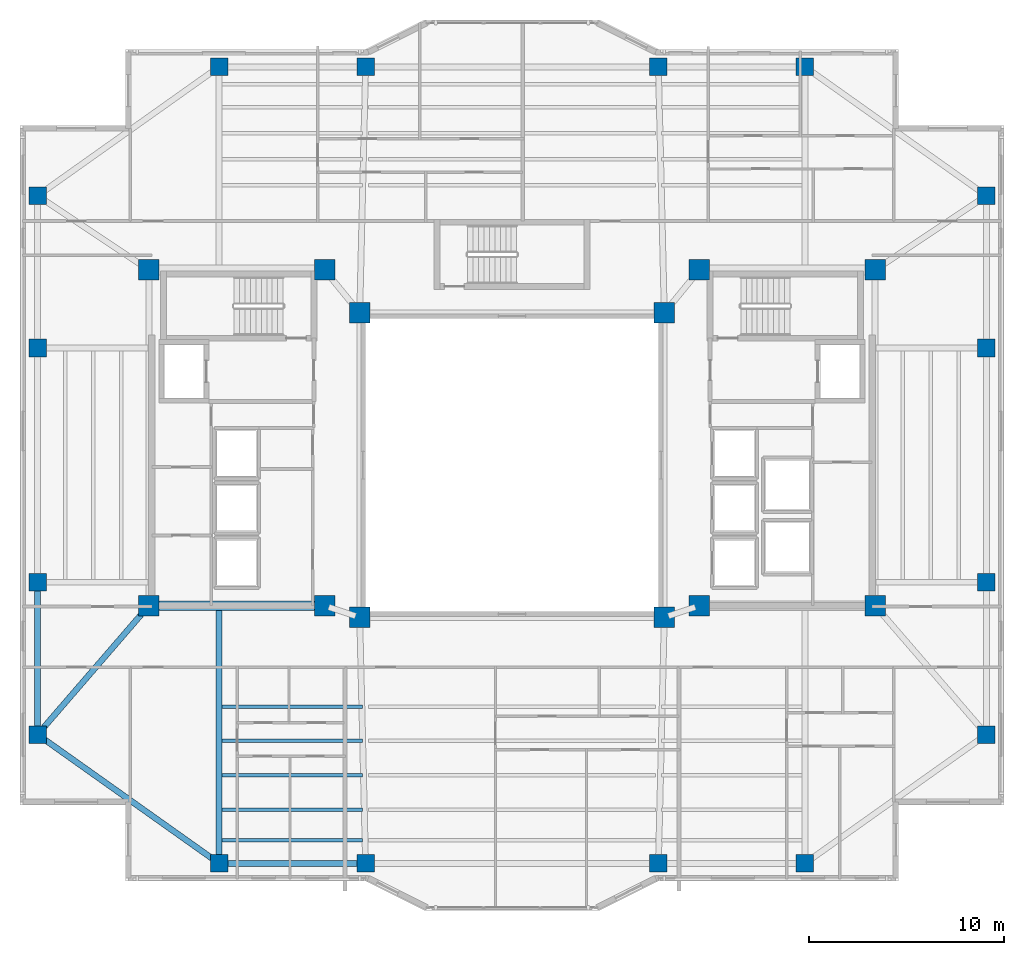
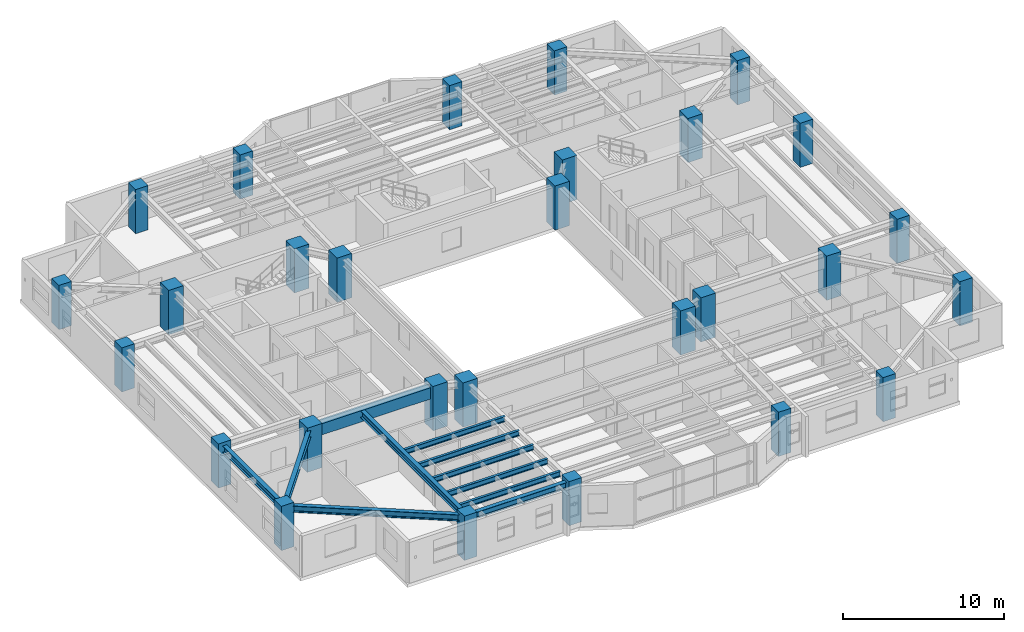
# One storey, part 1 of 15: 28 columns, 11 beams.
"""IFC4 building model written with IfcOpenShell, lengths in metres."""

from ifc_helpers import new_model, si_unit, direction, frame, origin, origin_2d, place, context, subcontext, project, spatial, rectangle, i_section, extrude, material, material_profile, profile_set, type_object, element, save


model = new_model("IFC4")

# Units and contexts
model_context = context("Model", 3, precision=1e-05, world=origin(), true_north=direction((0.0, 1.0)))
body_context = subcontext(model_context, "Body", "Model", "MODEL_VIEW")
ifc_project = project(units=[si_unit("LENGTHUNIT", "METRE"), si_unit("AREAUNIT", "SQUARE_METRE"), si_unit("VOLUMEUNIT", "CUBIC_METRE"), si_unit("PLANEANGLEUNIT", "RADIAN"), si_unit("MASSUNIT", "GRAM", prefix="KILO")], contexts=[model_context])

# Site, building, storey
site_placement = place(None, origin())
site = spatial("IfcSite", under=ifc_project, at=site_placement, CompositionType="ELEMENT")
building_placement = place(site_placement, origin())
building = spatial("IfcBuilding", under=site, at=building_placement, Name="Tarnavaz Court Tower", CompositionType="ELEMENT")
storey_placement = place(building_placement, frame((0.0, 0.0, 162.75)))
storey = spatial("IfcBuildingStorey", under=building, at=storey_placement, Name="L44", CompositionType="ELEMENT", Elevation=162.75)

# Columns
ifc_material_1 = material(Name="Concrete C60/75", Category="concrete")
ifc_material_profile_1 = material_profile(ifc_material_1, rectangle(XDim=1.050048828125, YDim=1.050048828125, at=origin_2d()), Name="RC 1050X1050")
ifc_profile_set_1 = profile_set([ifc_material_profile_1], Name="Concrete C60/75")
column_type_1 = type_object("IfcColumnType", Name="CL-RC1050", PredefinedType="COLUMN", material=ifc_profile_set_1)
for number, where, z_axis, x_axis, name in (
    (1, (-7.800048828125, -7.800048828125, 0.0), (0.0, 0.0, 1.0), (1.0, 0.0, 0.0), "L44 Column IW-SW"),
    (2, (7.800048828125, -7.800048828125, 0.0), (0.0, 0.0, 1.0), (1.0, 0.0, 0.0), "L44 Column IW-SE"),
    (3, (-7.800048828125, 7.800048828125, 0.0), (0.0, 0.0, 1.0), (1.0, 0.0, 0.0), "L44 Column IW-NW"),
    (4, (7.800048828125, 7.800048828125, 0.0), (0.0, 0.0, 1.0), (1.0, 0.0, 0.0), "L44 Column IW-NE"),
    (5, (-9.60009765625, -7.199951171875, 0.0), (0.0, 0.0, 1.0), (1.0, 0.0, 0.0), "L44 Column CW-SI"),
    (6, (-9.60009765625, 10.0, 0.0), (0.0, 0.0, 1.0), (1.0, 0.0, 0.0), "L44 Column CW-NI"),
    (7, (9.60009765625, -7.199951171875, 0.0), (0.0, 0.0, 1.0), (1.0, 0.0, 0.0), "L44 Column CE-SI"),
    (8, (9.60009765625, 10.0, 0.0), (0.0, 0.0, 1.0), (1.0, 0.0, 0.0), "L44 Column CE-NI"),
    (9, (-18.60009765625, -7.199951171875, 0.0), (0.0, 0.0, 1.0), (1.0, 0.0, 0.0), "L44 Column CW-SO"),
    (10, (-18.60009765625, 10.0, 0.0), (0.0, 0.0, 1.0), (1.0, 0.0, 0.0), "L44 Column CW-NO"),
    (11, (18.60009765625, -7.199951171875, 0.0), (0.0, 0.0, 1.0), (1.0, 0.0, 0.0), "L44 Column CE-SO"),
    (12, (18.60009765625, 10.0, 0.0), (0.0, 0.0, 1.0), (1.0, 0.0, 0.0), "L44 Column CE-NO"),
):
    element("IfcColumn", number, at=place(storey_placement, frame(where, z_axis=z_axis, x_axis=x_axis)), inside=storey, type_object=column_type_1, Name=name, PredefinedType="COLUMN", context=body_context, shape_type="SweptSolid", body=[
        extrude(rectangle(XDim=1.050048828125, YDim=1.050048828125, at=origin_2d()), origin(), (0.0, 0.0, 1.0), 3.35009765625),
    ])
ifc_material_2 = material(Name="Concrete C50/60", Category="concrete")
ifc_material_profile_2 = material_profile(ifc_material_2, rectangle(XDim=0.89990234375, YDim=0.89990234375, at=origin_2d()), Name="RC 900X900")
ifc_profile_set_2 = profile_set([ifc_material_profile_2], Name="Concrete C50/60")
column_type_2 = type_object("IfcColumnType", Name="CL-RC900", PredefinedType="COLUMN", material=ifc_profile_set_2)
for number, where, z_axis, x_axis, name in (
    (13, (-15.0, 20.39990234375, 0.0), (0.0, 0.0, 1.0), (1.0, 0.0, 0.0), "L44 Column PN-1"),
    (14, (-7.5, 20.39990234375, 0.0), (0.0, 0.0, 1.0), (1.0, 0.0, 0.0), "L44 Column PN-2"),
    (15, (7.5, 20.39990234375, 0.0), (0.0, 0.0, 1.0), (1.0, 0.0, 0.0), "L44 Column PN-3"),
    (16, (15.0, 20.39990234375, 0.0), (0.0, 0.0, 1.0), (1.0, 0.0, 0.0), "L44 Column PN-4"),
    (17, (-15.0, -20.39990234375, 0.0), (0.0, 0.0, 1.0), (1.0, 0.0, 0.0), "L44 Column PS-1"),
    (18, (-7.5, -20.39990234375, 0.0), (0.0, 0.0, 1.0), (1.0, 0.0, 0.0), "L44 Column PS-2"),
    (19, (7.5, -20.39990234375, 0.0), (0.0, 0.0, 1.0), (1.0, 0.0, 0.0), "L44 Column PS-3"),
    (20, (15.0, -20.39990234375, 0.0), (0.0, 0.0, 1.0), (1.0, 0.0, 0.0), "L44 Column PS-4"),
    (21, (24.300048828125, -13.800048828125, 0.0), (0.0, 0.0, 1.0), (1.0, 0.0, 0.0), "L44 Column PE-1"),
    (22, (24.300048828125, -6.0, 0.0), (0.0, 0.0, 1.0), (1.0, 0.0, 0.0), "L44 Column PE-2"),
    (23, (24.300048828125, 6.0, 0.0), (0.0, 0.0, 1.0), (1.0, 0.0, 0.0), "L44 Column PE-3"),
    (24, (24.300048828125, 13.800048828125, 0.0), (0.0, 0.0, 1.0), (1.0, 0.0, 0.0), "L44 Column PE-4"),
    (25, (-24.300048828125, -13.800048828125, 0.0), (0.0, 0.0, 1.0), (1.0, 0.0, 0.0), "L44 Column PW-1"),
    (26, (-24.300048828125, -6.0, 0.0), (0.0, 0.0, 1.0), (1.0, 0.0, 0.0), "L44 Column PW-2"),
    (27, (-24.300048828125, 6.0, 0.0), (0.0, 0.0, 1.0), (1.0, 0.0, 0.0), "L44 Column PW-3"),
    (28, (-24.300048828125, 13.800048828125, 0.0), (0.0, 0.0, 1.0), (1.0, 0.0, 0.0), "L44 Column PW-4"),
):
    element("IfcColumn", number, at=place(storey_placement, frame(where, z_axis=z_axis, x_axis=x_axis)), inside=storey, type_object=column_type_2, Name=name, PredefinedType="COLUMN", context=body_context, shape_type="SweptSolid", body=[
        extrude(rectangle(XDim=0.89990234375, YDim=0.89990234375, at=origin_2d()), origin(), (0.0, 0.0, 1.0), 3.35009765625),
    ])

# Beams
ifc_material_profile_3 = material_profile(ifc_material_2, rectangle(XDim=0.5, YDim=0.85009765625, at=origin_2d()), Name="RC 500X850")
ifc_profile_set_3 = profile_set([ifc_material_profile_3], Name="Concrete C50/60")
beam_type_1 = type_object("IfcBeamType", Name="BM-CB850", PredefinedType="LINTEL", material=ifc_profile_set_3)
beam_1_placement = place(storey_placement, frame((-18.3798828125, -7.199951171875, 2.675048828125), z_axis=(1.0, 0.0, 0.0), x_axis=(0.0, 1.0, 0.0)))
element("IfcBeam", 29, at=beam_1_placement, inside=storey, type_object=beam_type_1, Name="L44 Beam IN-CW-SO-CW-SI", PredefinedType="LINTEL", context=body_context, shape_type="SweptSolid", body=[
    extrude(rectangle(XDim=0.5, YDim=0.85009765625, at=origin_2d()), origin(), (0.0, 0.0, 1.0), 8.559814453125),
])
ifc_material_3 = material(Name="Steel S355", Category="steel")
ifc_material_profile_4 = material_profile(ifc_material_3, i_section(OverallWidth=0.300048828125, OverallDepth=0.5, WebThickness=0.014404296875, FlangeThickness=0.028076171875, FilletRadius=0.027099609375, at=origin_2d()), Name="HEB 500")
ifc_profile_set_4 = profile_set([ifc_material_profile_4], Name="Steel S355")
beam_type_2 = type_object("IfcBeamType", Name="BM-G-HEB500", PredefinedType="USERDEFINED", material=ifc_profile_set_4)
beam_2_placement = place(storey_placement, frame((-15.0, -7.239990234375, 2.85009765625), z_axis=(0.0, -1.0, 0.0), x_axis=(1.0, 0.0, 0.0)))
element("IfcBeam", 30, at=beam_2_placement, inside=storey, type_object=beam_type_2, Name="L44 Beam RG-05", ObjectType="GIRDER", PredefinedType="USERDEFINED", context=body_context, shape_type="SweptSolid", body=[
    extrude(i_section(OverallWidth=0.300048828125, OverallDepth=0.5, WebThickness=0.014404296875, FlangeThickness=0.028076171875, FilletRadius=0.027099609375, at=origin_2d()), origin(), (0.0, 0.0, 1.0), 12.93994140625),
])
beam_3_placement = place(storey_placement, frame((-18.743896484375, -7.366455078125, 2.85009765625), z_axis=(-0.653610659012, -0.756830962914, 0.0), x_axis=(0.756830962914, -0.653610659012, 0.0)))
element("IfcBeam", 31, at=beam_3_placement, inside=storey, type_object=beam_type_2, Name="L44 Beam RG-15", ObjectType="GIRDER", PredefinedType="USERDEFINED", context=body_context, shape_type="SweptSolid", body=[
    extrude(i_section(OverallWidth=0.300048828125, OverallDepth=0.5, WebThickness=0.014404296875, FlangeThickness=0.028076171875, FilletRadius=0.027099609375, at=origin_2d()), origin(), (0.0, 0.0, 1.0), 8.28076171875),
])
ifc_material_profile_5 = material_profile(ifc_material_3, i_section(OverallWidth=0.179931640625, OverallDepth=0.39990234375, WebThickness=0.008544921875, FlangeThickness=0.013427734375, FilletRadius=0.02099609375, at=origin_2d()), Name="IPE 400")
ifc_profile_set_5 = profile_set([ifc_material_profile_5], Name="Steel S355")
beam_type_3 = type_object("IfcBeamType", Name="BM-J-IPE400", PredefinedType="JOIST", material=ifc_profile_set_5)
for number, where, z_axis, x_axis, name in (
    (32, (-14.85009765625, -12.364013671875, 2.89990234375), (1.0, 0.0, 0.0), (0.0, 1.0, 0.0), "L44 Beam JS1-1"),
    (33, (-14.85009765625, -14.1279296875, 2.89990234375), (1.0, 0.0, 0.0), (0.0, 1.0, 0.0), "L44 Beam JS2-1"),
    (34, (-14.85009765625, -15.89208984375, 2.89990234375), (1.0, 0.0, 0.0), (0.0, 1.0, 0.0), "L44 Beam JS3-1"),
    (35, (-14.85009765625, -17.656005859375, 2.89990234375), (1.0, 0.0, 0.0), (0.0, 1.0, 0.0), "L44 Beam JS4-1"),
    (36, (-14.85009765625, -19.22412109375, 2.89990234375), (1.0, 0.0, 0.0), (0.0, 1.0, 0.0), "L44 Beam JS5-1"),
):
    element("IfcBeam", number, at=place(storey_placement, frame(where, z_axis=z_axis, x_axis=x_axis)), inside=storey, type_object=beam_type_3, Name=name, PredefinedType="JOIST", context=body_context, shape_type="SweptSolid", body=[
        extrude(i_section(OverallWidth=0.179931640625, OverallDepth=0.39990234375, WebThickness=0.008544921875, FlangeThickness=0.013427734375, FilletRadius=0.02099609375, at=origin_2d()), origin(), (0.0, 0.0, 1.0), 7.2001953125),
    ])
ifc_material_profile_6 = material_profile(ifc_material_3, i_section(OverallWidth=0.300048828125, OverallDepth=0.489990234375, WebThickness=0.011962890625, FlangeThickness=0.02294921875, FilletRadius=0.027099609375, at=origin_2d()), Name="HEA 500")
ifc_profile_set_6 = profile_set([ifc_material_profile_6], Name="Steel S355")
beam_type_4 = type_object("IfcBeamType", Name="BM-SP-HEA500", PredefinedType="SPANDREL", material=ifc_profile_set_6)
beam_4_placement = place(storey_placement, frame((-14.780029296875, -20.39990234375, 2.85498046875), z_axis=(1.0, 0.0, 0.0), x_axis=(0.0, 1.0, 0.0)))
element("IfcBeam", 37, at=beam_4_placement, inside=storey, type_object=beam_type_4, Name="L44 Beam PR-PS-1-PS-2", PredefinedType="SPANDREL", context=body_context, shape_type="SweptSolid", body=[
    extrude(i_section(OverallWidth=0.300048828125, OverallDepth=0.489990234375, WebThickness=0.011962890625, FlangeThickness=0.02294921875, FilletRadius=0.027099609375, at=origin_2d()), origin(), (0.0, 0.0, 1.0), 7.06005859375),
])
beam_5_placement = place(storey_placement, frame((-24.300048828125, -13.580078125, 2.85498046875), z_axis=(0.0, 1.0, 0.0), x_axis=(-1.0, 0.0, 0.0)))
element("IfcBeam", 38, at=beam_5_placement, inside=storey, type_object=beam_type_4, Name="L44 Beam PR-PW-1-PW-2", PredefinedType="SPANDREL", context=body_context, shape_type="SweptSolid", body=[
    extrude(i_section(OverallWidth=0.300048828125, OverallDepth=0.489990234375, WebThickness=0.011962890625, FlangeThickness=0.02294921875, FilletRadius=0.027099609375, at=origin_2d()), origin(), (0.0, 0.0, 1.0), 7.360107421875),
])
beam_6_placement = place(storey_placement, frame((-15.179443359375, -20.272705078125, 2.85498046875), z_axis=(-0.815502059396, 0.57875417158, 0.0), x_axis=(-0.57875417158, -0.815502059396, 0.0)))
element("IfcBeam", 39, at=beam_6_placement, inside=storey, type_object=beam_type_4, Name="L44 Beam PR-PS-1-PW-1", PredefinedType="SPANDREL", context=body_context, shape_type="SweptSolid", body=[
    extrude(i_section(OverallWidth=0.300048828125, OverallDepth=0.489990234375, WebThickness=0.011962890625, FlangeThickness=0.02294921875, FilletRadius=0.027099609375, at=origin_2d()), origin(), (0.0, 0.0, 1.0), 10.964111328125),
])

save(model, "model.ifc")
